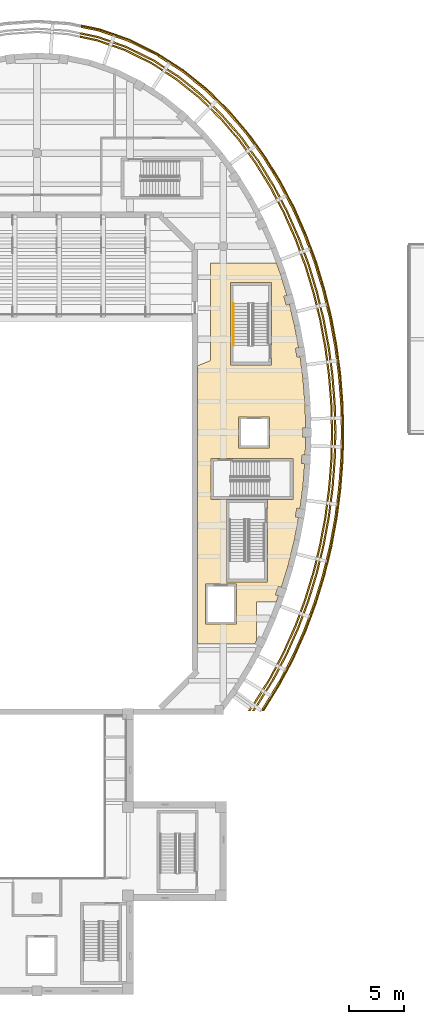
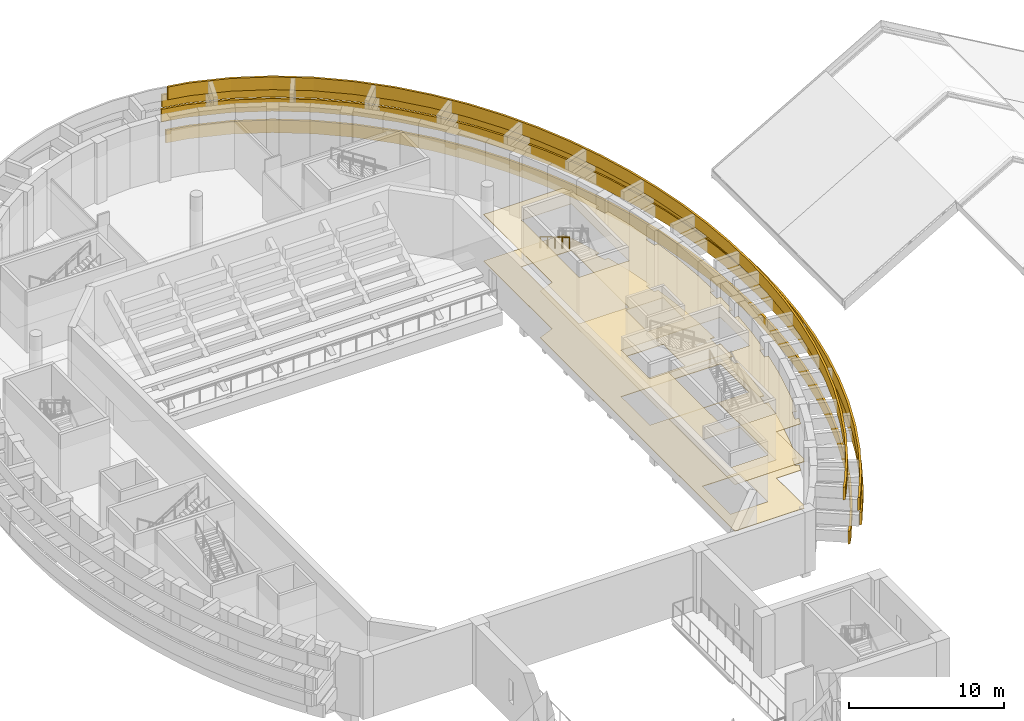
# One storey, part 32 of 37: 6 coverings, 1 railing.
"""IFC4 building model written with IfcOpenShell, lengths in metres."""

from ifc_helpers import new_model, si_unit, direction, frame, origin, origin_2d, place, context, subcontext, project, spatial, polyline, circle, outline, extrude, material, layer, layer_set, type_object, element, save


model = new_model("IFC4")

# Units and contexts
model_context = context("Model", 3, precision=1e-05, world=origin(), true_north=direction((0.0, 1.0)))
body_context = subcontext(model_context, "Body", "Model", "MODEL_VIEW")
ifc_project = project(units=[si_unit("LENGTHUNIT", "METRE"), si_unit("AREAUNIT", "SQUARE_METRE"), si_unit("VOLUMEUNIT", "CUBIC_METRE"), si_unit("PLANEANGLEUNIT", "RADIAN"), si_unit("MASSUNIT", "GRAM", prefix="KILO")], contexts=[model_context])

# Site, building, storey
site_placement = place(None, origin())
site = spatial("IfcSite", under=ifc_project, at=site_placement, CompositionType="ELEMENT")
building_placement = place(site_placement, origin())
building = spatial("IfcBuilding", under=site, at=building_placement, Name="Larchfold Concert Hall", CompositionType="ELEMENT")
storey_placement = place(building_placement, frame((0.0, 0.0, 19.199951171875)))
storey = spatial("IfcBuildingStorey", under=building, at=storey_placement, Name="L04", CompositionType="ELEMENT", Elevation=19.199951171875)

# Coverings
ifc_material_1 = material(Name="Plasterboard ceiling lining")
ifc_layer_1 = layer(ifc_material_1, 0.030029296875)
ifc_layer_set_1 = layer_set([ifc_layer_1], Name="Plasterboard ceiling lining")
covering_type_1 = type_object("IfcCoveringType", Name="Ceiling suspended plasterboard 30", PredefinedType="CEILING", material=ifc_layer_set_1)
covering_1_placement = place(storey_placement, frame((0.0, 0.0, 3.670166015625)))
element("IfcCovering", 1, at=covering_1_placement, inside=storey, type_object=covering_type_1, Name="Ceiling Hall Foyer East", PredefinedType="CEILING", context=body_context, shape_type="SweptSolid", body=[
    extrude(outline(polyline([(58.24560546875, 91.080810546875), (57.10009765625, 90.606201171875), (57.10009765625, 65.5009765625), (62.260498046875, 65.5009765625), (62.399169921875, 65.79150390625), (62.3994140625, 69.29345703125), (62.408203125, 69.301025390625), (64.194091796875, 69.301025390625), (64.402099609375, 69.859130859375), (64.12939453125, 69.951416015625), (64.3857421875, 70.709228515625), (64.65869140625, 70.616943359375), (65.253662109375, 72.562255859375), (65.83203125, 74.927490234375), (66.205322265625, 76.927978515625), (65.919921875, 76.973388671875), (66.04541015625, 77.763427734375), (66.3310546875, 77.718017578125), (66.5966796875, 79.73583984375), (66.755615234375, 81.765869140625), (66.466552734375, 81.781005859375), (66.508056640625, 82.579833984375), (66.79736328125, 82.56494140625), (66.839599609375, 84.2001953125), (66.55029296875, 84.2001953125), (66.55029296875, 85.0), (66.839599609375, 85.0), (66.78759765625, 87.020263671875), (66.599853515625, 89.433837890625), (66.337890625, 91.437255859375), (66.052001953125, 91.39208984375), (65.92724609375, 92.182373046875), (66.212890625, 92.2275390625), (65.84423828125, 94.215087890625), (65.367919921875, 96.176513671875), (65.08935546875, 96.1005859375), (64.87890625, 96.87255859375), (65.1572265625, 96.948486328125), (64.570068359375, 98.881591796875), (64.194091796875, 99.899169921875), (58.2509765625, 99.899169921875), (58.2509765625, 91.088623046875), (58.24560546875, 91.080810546875)]), holes=[polyline([(58.300048828125, 82.25), (65.699951171875, 82.25), (65.699951171875, 78.550048828125), (58.300048828125, 78.550048828125), (58.300048828125, 82.25)]), polyline([(60.050048828125, 90.699951171875), (60.050048828125, 98.10009765625), (63.75, 98.10009765625), (63.75, 90.699951171875), (60.050048828125, 90.699951171875)]), polyline([(60.800048828125, 86.0), (63.60009765625, 86.0), (63.60009765625, 83.199951171875), (60.800048828125, 83.199951171875), (60.800048828125, 86.0)]), polyline([(59.699951171875, 78.5), (63.39990234375, 78.5), (63.39990234375, 71.10009765625), (59.699951171875, 71.10009765625), (59.699951171875, 78.5)]), polyline([(57.800048828125, 67.300048828125), (57.800048828125, 70.89990234375), (60.60009765625, 70.89990234375), (60.60009765625, 67.300048828125), (57.800048828125, 67.300048828125)])]), origin(), (0.0, 0.0, 1.0), 0.030029296875),
])
ifc_material_2 = material(Name="Polished terrazzo")
ifc_layer_2 = layer(ifc_material_2, 0.0400390625)
ifc_layer_set_2 = layer_set([ifc_layer_2], Name="Polished terrazzo")
covering_type_2 = type_object("IfcCoveringType", Name="Floor finish terrazzo 40", PredefinedType="FLOORING", material=ifc_layer_set_2)
covering_2_placement = place(storey_placement, origin())
element("IfcCovering", 2, at=covering_2_placement, inside=storey, type_object=covering_type_2, Name="Floor finish Hall Foyer East", PredefinedType="FLOORING", context=body_context, shape_type="SweptSolid", body=[
    extrude(outline(polyline([(58.24560546875, 91.080810546875), (57.10009765625, 90.606201171875), (57.10009765625, 65.5009765625), (62.260498046875, 65.5009765625), (62.399169921875, 65.79150390625), (62.3994140625, 69.29345703125), (62.408203125, 69.301025390625), (64.194091796875, 69.301025390625), (64.402099609375, 69.859130859375), (64.12939453125, 69.951416015625), (64.3857421875, 70.709228515625), (64.65869140625, 70.616943359375), (65.253662109375, 72.562255859375), (65.83203125, 74.927490234375), (66.205322265625, 76.927978515625), (65.919921875, 76.973388671875), (66.04541015625, 77.763427734375), (66.3310546875, 77.718017578125), (66.5966796875, 79.73583984375), (66.755615234375, 81.765869140625), (66.466552734375, 81.781005859375), (66.508056640625, 82.579833984375), (66.79736328125, 82.56494140625), (66.839599609375, 84.2001953125), (66.55029296875, 84.2001953125), (66.55029296875, 85.0), (66.839599609375, 85.0), (66.78759765625, 87.020263671875), (66.599853515625, 89.433837890625), (66.337890625, 91.437255859375), (66.052001953125, 91.39208984375), (65.92724609375, 92.182373046875), (66.212890625, 92.2275390625), (65.84423828125, 94.215087890625), (65.367919921875, 96.176513671875), (65.08935546875, 96.1005859375), (64.87890625, 96.87255859375), (65.1572265625, 96.948486328125), (64.570068359375, 98.881591796875), (64.194091796875, 99.899169921875), (58.2509765625, 99.899169921875), (58.2509765625, 91.088623046875), (58.24560546875, 91.080810546875)]), holes=[polyline([(58.300048828125, 82.25), (65.699951171875, 82.25), (65.699951171875, 78.550048828125), (58.300048828125, 78.550048828125), (58.300048828125, 82.25)]), polyline([(60.050048828125, 90.699951171875), (60.050048828125, 98.10009765625), (63.75, 98.10009765625), (63.75, 90.699951171875), (60.050048828125, 90.699951171875)]), polyline([(60.800048828125, 86.0), (63.60009765625, 86.0), (63.60009765625, 83.199951171875), (60.800048828125, 83.199951171875), (60.800048828125, 86.0)]), polyline([(59.699951171875, 78.5), (63.39990234375, 78.5), (63.39990234375, 71.10009765625), (59.699951171875, 71.10009765625), (59.699951171875, 78.5)]), polyline([(57.800048828125, 67.300048828125), (57.800048828125, 70.89990234375), (60.60009765625, 70.89990234375), (60.60009765625, 67.300048828125), (57.800048828125, 67.300048828125)])]), origin(), (0.0, 0.0, 1.0), 0.0400390625),
])
ifc_material_3 = material(Name="Powder-coated orange aluminium", Category="aluminium")
ifc_layer_3 = layer(ifc_material_3, 0.14990234375)
ifc_layer_set_3 = layer_set([ifc_layer_3], Name="Powder-coated orange aluminium")
covering_type_3 = type_object("IfcCoveringType", Name="Orange aluminium ring cladding", PredefinedType="CLADDING", material=ifc_layer_set_3)
covering_3_placement = place(storey_placement, frame((0.0, 0.0, 0.900146484375)))
element("IfcCovering", 3, at=covering_3_placement, inside=storey, type_object=covering_type_3, Name="Ring band R08a", PredefinedType="CLADDING", context=body_context, shape_type="SweptSolid", body=[
    extrude(outline(polyline([(68.521240234375, 74.34814453125), (68.995849609375, 76.889404296875), (69.332763671875, 79.44921875), (69.5341796875, 82.02197265625), (69.600830078125, 84.599853515625), (69.534912109375, 87.162353515625), (69.336181640625, 89.718994140625), (69.003173828125, 92.263427734375), (68.53466796875, 94.789306640625), (67.927490234375, 97.2900390625), (67.17822265625, 99.75732421875), (66.282470703125, 102.182373046875), (65.234375, 104.5546875), (64.028564453125, 106.86181640625), (62.657958984375, 109.08935546875), (61.115234375, 111.218505859375), (59.394287109375, 113.22802734375), (57.4892578125, 115.091064453125), (55.39697265625, 116.774658203125), (53.12158203125, 118.241455078125), (50.67333984375, 119.448974609375), (48.076171875, 120.353759765625), (46.5361328125, 120.673095703125), (46.52001953125, 120.523193359375), (48.0361328125, 120.208740234375), (50.615234375, 119.310546875), (53.047607421875, 118.110595703125), (55.30908203125, 116.65283203125), (57.3896484375, 114.978759765625), (59.28466796875, 113.12548828125), (60.997314453125, 111.125732421875), (62.533203125, 109.005859375), (63.898193359375, 106.78759765625), (65.09912109375, 104.489501953125), (66.143310546875, 102.126220703125), (67.0361328125, 99.70947265625), (67.78271484375, 97.25048828125), (68.387939453125, 94.7578125), (68.85498046875, 92.239990234375), (69.186767578125, 89.703369140625), (69.385009765625, 87.154541015625), (69.45068359375, 84.599853515625), (69.38427734375, 82.02978515625), (69.18359375, 79.465087890625), (68.84765625, 76.912841796875), (68.37451171875, 74.379638671875), (67.76171875, 71.87255859375), (67.005126953125, 69.399658203125), (66.100830078125, 66.97021484375), (65.04345703125, 64.5947265625), (63.825927734375, 62.285888671875), (62.4423828125, 60.0595703125), (62.032958984375, 59.5), (62.21875, 59.5), (62.56689453125, 59.975341796875), (63.9560546875, 62.211181640625), (65.178466796875, 64.529052734375), (66.239990234375, 66.91357421875), (67.1474609375, 69.3515625), (67.906494140625, 71.832763671875), (68.521240234375, 74.34814453125)])), origin(), (0.0, 0.0, 1.0), 1.0),
])
covering_4_placement = place(storey_placement, frame((0.0, 0.0, 2.10009765625)))
element("IfcCovering", 4, at=covering_4_placement, inside=storey, type_object=covering_type_3, Name="Ring band R09a", PredefinedType="CLADDING", context=body_context, shape_type="SweptSolid", body=[
    extrude(outline(polyline([(69.205810546875, 74.20068359375), (69.687255859375, 76.779296875), (70.029052734375, 79.376220703125), (70.2333984375, 81.985595703125), (70.301025390625, 84.599853515625), (70.234130859375, 87.198486328125), (70.032470703125, 89.79150390625), (69.69482421875, 92.372802734375), (69.219482421875, 94.935791015625), (68.60302734375, 97.474609375), (67.842041015625, 99.980712890625), (66.931396484375, 102.445556640625), (65.865234375, 104.8583984375), (64.6376953125, 107.207763671875), (63.240234375, 109.478515625), (61.66552734375, 111.65234375), (59.90576171875, 113.70703125), (57.954345703125, 115.614990234375), (55.807373046875, 117.343017578125), (53.467041015625, 118.8515625), (50.9443359375, 120.095947265625), (48.26318359375, 121.02978515625), (46.612060546875, 121.372314453125), (46.595703125, 121.222412109375), (48.22314453125, 120.884765625), (50.88623046875, 119.957275390625), (53.39306640625, 118.720703125), (55.719482421875, 117.22119140625), (57.854736328125, 115.502685546875), (59.796142578125, 113.604248046875), (61.547607421875, 111.559326171875), (63.115478515625, 109.395263671875), (64.507080078125, 107.133544921875), (65.730224609375, 104.79345703125), (66.79248046875, 102.38916015625), (67.699951171875, 99.932861328125), (68.458251953125, 97.43505859375), (69.07275390625, 94.904541015625), (69.546630859375, 92.349365234375), (69.88330078125, 89.77587890625), (70.084228515625, 87.19091796875), (70.151123046875, 84.599853515625), (70.08349609375, 81.993408203125), (69.8798828125, 79.391845703125), (69.5390625, 76.802978515625), (69.05908203125, 74.232177734375), (68.43701171875, 71.68701171875), (67.66845703125, 69.175048828125), (66.749267578125, 66.70556640625), (65.67333984375, 64.288818359375), (64.433349609375, 61.9375), (63.02294921875, 59.66748046875), (62.900390625, 59.5), (63.08642578125, 59.5), (63.1474609375, 59.58349609375), (64.563720703125, 61.86279296875), (65.808349609375, 64.22314453125), (66.88818359375, 66.64892578125), (67.810546875, 69.126708984375), (68.581787109375, 71.647216796875), (69.205810546875, 74.20068359375)])), origin(), (0.0, 0.0, 1.0), 1.0),
])
covering_5_placement = place(storey_placement, frame((0.0, 0.0, 3.300048828125)))
element("IfcCovering", 5, at=covering_5_placement, inside=storey, type_object=covering_type_3, Name="Ring band R10a", PredefinedType="CLADDING", context=body_context, shape_type="SweptSolid", body=[
    extrude(outline(polyline([(69.10791015625, 74.2216796875), (69.588623046875, 76.794921875), (69.9296875, 79.38671875), (70.133544921875, 81.99072265625), (70.200927734375, 84.599853515625), (70.13427734375, 87.193359375), (69.93310546875, 89.781005859375), (69.59619140625, 92.357177734375), (69.12158203125, 94.914794921875), (68.506591796875, 97.4482421875), (67.747314453125, 99.94873046875), (66.838623046875, 102.407958984375), (65.775146484375, 104.815185546875), (64.55078125, 107.158203125), (63.1572265625, 109.4228515625), (61.5869140625, 111.59033203125), (59.832763671875, 113.638671875), (57.887939453125, 115.540283203125), (55.748779296875, 117.26171875), (53.417724609375, 118.764404296875), (50.905517578125, 120.00341796875), (48.236328125, 120.93310546875), (46.60107421875, 121.272216796875), (46.5849609375, 121.12255859375), (48.1962890625, 120.788330078125), (50.847412109375, 119.864990234375), (53.34375, 118.633544921875), (55.660888671875, 117.139892578125), (57.788330078125, 115.427978515625), (59.72314453125, 113.535888671875), (61.468994140625, 111.497314453125), (63.0322265625, 109.339599609375), (64.420166015625, 107.084228515625), (65.639892578125, 104.75), (66.69970703125, 102.3515625), (67.60498046875, 99.90087890625), (68.36181640625, 97.40869140625), (68.974853515625, 94.883544921875), (69.447998046875, 92.333740234375), (69.78369140625, 89.765625), (69.984375, 87.185546875), (70.051025390625, 84.599853515625), (69.983642578125, 81.99853515625), (69.780517578125, 79.40234375), (69.4404296875, 76.818603515625), (68.961181640625, 74.253173828125), (68.340576171875, 71.71337890625), (67.57373046875, 69.20703125), (66.65673828125, 66.743408203125), (65.58349609375, 64.33251953125), (64.3466796875, 61.987060546875), (62.940185546875, 59.723388671875), (62.776611328125, 59.5), (62.96240234375, 59.5), (63.064453125, 59.639404296875), (64.476806640625, 61.91259765625), (65.718505859375, 64.266845703125), (66.795654296875, 66.686767578125), (67.7158203125, 69.158935546875), (68.4853515625, 71.673583984375), (69.10791015625, 74.2216796875)])), origin(), (0.0, 0.0, 1.0), 1.0),
])
covering_6_placement = place(storey_placement, frame((0.0, 0.0, 4.5)))
element("IfcCovering", 6, at=covering_6_placement, inside=storey, type_object=covering_type_3, Name="Ring band R11a", PredefinedType="CLADDING", context=body_context, shape_type="SweptSolid", body=[
    extrude(outline(polyline([(68.227783203125, 74.4111328125), (68.699462890625, 76.9365234375), (69.0341796875, 79.480712890625), (69.234375, 82.03759765625), (69.30078125, 84.599853515625), (69.235107421875, 87.14697265625), (69.03759765625, 89.687744140625), (68.706787109375, 92.216552734375), (68.2412109375, 94.7265625), (67.637939453125, 97.2109375), (66.893798828125, 99.661865234375), (66.004150390625, 102.06982421875), (64.9638671875, 104.42431640625), (63.767578125, 106.71337890625), (62.408447265625, 108.92236328125), (60.879638671875, 111.03271484375), (59.175048828125, 113.02294921875), (57.289794921875, 114.866455078125), (55.22119140625, 116.531005859375), (52.973388671875, 117.97998046875), (50.55712890625, 119.171875), (47.99609375, 120.06396484375), (46.503662109375, 120.373291015625), (46.487548828125, 120.2236328125), (47.9560546875, 119.9189453125), (50.4990234375, 119.033203125), (52.8994140625, 117.84912109375), (55.13330078125, 116.4091796875), (57.190185546875, 114.75390625), (59.0654296875, 112.920166015625), (60.76171875, 110.939697265625), (62.28369140625, 108.839111328125), (63.63720703125, 106.639404296875), (64.82861328125, 104.359375), (65.865234375, 102.013427734375), (66.75146484375, 99.614013671875), (67.4931640625, 97.171630859375), (68.094482421875, 94.695068359375), (68.55859375, 92.193115234375), (68.888427734375, 89.672119140625), (69.085205078125, 87.13916015625), (69.150634765625, 84.599853515625), (69.08447265625, 82.04541015625), (68.885009765625, 79.496337890625), (68.55126953125, 76.9599609375), (68.0810546875, 74.44287109375), (67.472412109375, 71.9521484375), (66.720947265625, 69.495849609375), (65.822998046875, 67.083740234375), (64.7734375, 64.725830078125), (63.5654296875, 62.43505859375), (62.193603515625, 60.2275390625), (61.6611328125, 59.5), (61.846923828125, 59.5), (62.318115234375, 60.1435546875), (63.695556640625, 62.3603515625), (64.908447265625, 64.66015625), (65.9619140625, 67.027099609375), (66.863037109375, 69.44775390625), (67.6171875, 71.912353515625), (68.227783203125, 74.4111328125)])), origin(), (0.0, 0.0, 1.0), 1.0),
])

# Railing
ifc_material_4 = material(Name="Stainless steel handrail", Category="steel")
railing_type = type_object("IfcRailingType", Name="Stair handrail 900", PredefinedType="HANDRAIL", material=ifc_material_4)
railing_placement = place(storey_placement, frame((60.35009765625, 96.22998046875, 2.56005859375)))
element("IfcRailing", 7, at=railing_placement, inside=storey, type_object=railing_type, Name="Handrail HR0002", PredefinedType="HANDRAIL", context=body_context, shape_type="SweptSolid", body=[
    extrude(circle(Radius=0.02392578125, at=origin_2d()), frame((0.0, 0.0, 0.8759765625), z_axis=(0.0, -0.860294241299, 0.509797821089), x_axis=(1.0, 0.0, 0.0)), (0.0, 0.0, 1.0), 4.393798828125),
    extrude(circle(Radius=0.02099609375, at=origin_2d()), origin(), (0.0, 0.0, 1.0), 0.851806640625),
    extrude(circle(Radius=0.02099609375, at=origin_2d()), frame((0.0, -0.945068359375, 0.56005859375)), (0.0, 0.0, 1.0), 0.851806640625),
    extrude(circle(Radius=0.02099609375, at=origin_2d()), frame((0.0, -1.89013671875, 1.1201171875)), (0.0, 0.0, 1.0), 0.851806640625),
    extrude(circle(Radius=0.02099609375, at=origin_2d()), frame((0.0, -2.8349609375, 1.679931640625)), (0.0, 0.0, 1.0), 0.851806640625),
    extrude(circle(Radius=0.02099609375, at=origin_2d()), frame((0.0, -3.780029296875, 2.239990234375)), (0.0, 0.0, 1.0), 0.851806640625),
])

save(model, "model.ifc")
